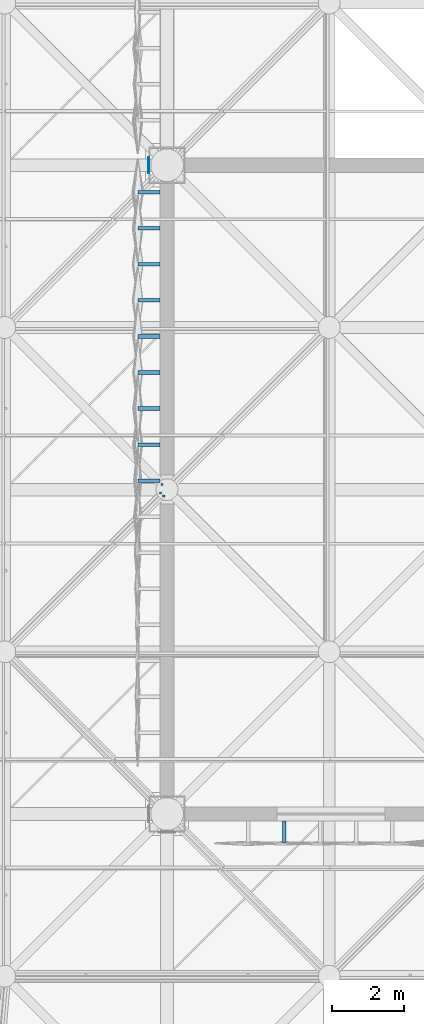
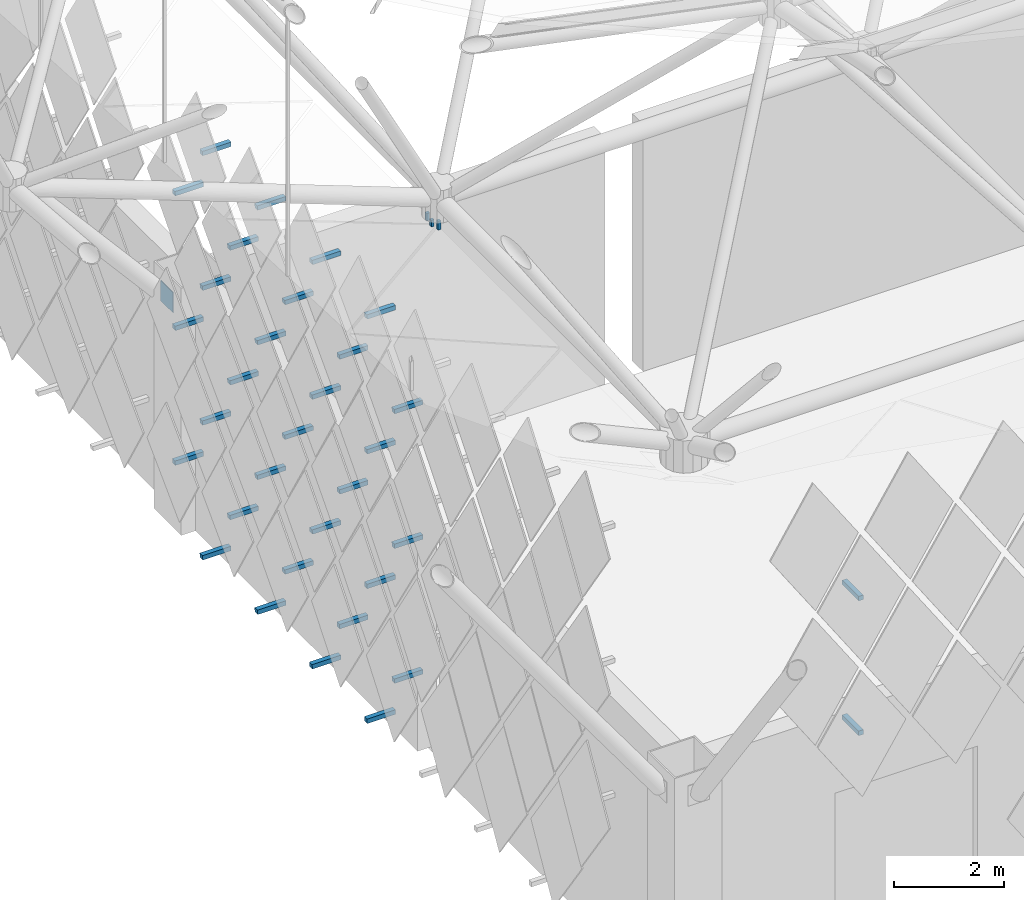
# One storey, part 348 of 437: 37 discrete accessories.
"""IFC4 building model written with IfcOpenShell, lengths in metres."""

from ifc_helpers import new_model, si_unit, direction, frame, origin, place, context, subcontext, project, spatial, polyline, outline, extrude, material, layer, layer_set, type_object, element, save


model = new_model("IFC4")

# Units and contexts
model_context = context("Model", 3, precision=1e-05, world=origin(), true_north=direction((0.0, 1.0)))
body_context = subcontext(model_context, "Body", "Model", "MODEL_VIEW")
ifc_project = project(units=[si_unit("LENGTHUNIT", "METRE"), si_unit("AREAUNIT", "SQUARE_METRE"), si_unit("VOLUMEUNIT", "CUBIC_METRE"), si_unit("PLANEANGLEUNIT", "RADIAN"), si_unit("MASSUNIT", "GRAM", prefix="KILO")], contexts=[model_context])

# Site, building, storey
site_placement = place(None, origin())
site = spatial("IfcSite", under=ifc_project, at=site_placement, CompositionType="ELEMENT")
building_placement = place(site_placement, origin())
building = spatial("IfcBuilding", under=site, at=building_placement, Name="Opaline Strait Convention Centre", CompositionType="ELEMENT")
storey_placement = place(building_placement, frame((0.0, 0.0, 11.5)))
storey = spatial("IfcBuildingStorey", under=building, at=storey_placement, Name="L02", CompositionType="ELEMENT", Elevation=11.5)

# Discrete accessories
ifc_material_1 = material(Name="Structural steel Q355B", Category="steel")
ifc_layer = layer(ifc_material_1, 0.01611328125)
ifc_layer_set = layer_set([ifc_layer], Name="Structural steel Q355B")
discrete_accessory_type_1 = type_object("IfcDiscreteAccessoryType", Name="Prop bearing plate 450 x 450 x 16", PredefinedType="ANCHORPLATE", material=ifc_layer_set)
discrete_accessory_1_placement = place(storey_placement, frame((0.0, 0.0, 4.793701171875)))
element("IfcDiscreteAccessory", 1, at=discrete_accessory_1_placement, inside=storey, type_object=discrete_accessory_type_1, Name="Prop bearing plate 99/72 W", PredefinedType="ANCHORPLATE", context=body_context, shape_type="SweptSolid", body=[
    extrude(outline(polyline([(98.48388671875, 71.77490234375), (98.5, 71.77490234375), (98.5, 72.22509765625), (98.48388671875, 72.22509765625), (98.48388671875, 71.77490234375)])), origin(), (0.0, 0.0, 1.0), 0.449951171875),
])
ifc_material_2 = material(Name="Steel Q355B", Category="steel")
discrete_accessory_type_2 = type_object("IfcDiscreteAccessoryType", Name="Soffit hanger 60x60 steel", PredefinedType="BRACKET", material=ifc_material_2)
discrete_accessory_2_placement = place(storey_placement, frame((0.0, 0.0, 11.93994140625)))
element("IfcDiscreteAccessory", 2, at=discrete_accessory_2_placement, inside=storey, type_object=discrete_accessory_type_2, Name="Soffit hanger", PredefinedType="BRACKET", context=body_context, shape_type="SweptSolid", body=[
    extrude(outline(polyline([(98.880859375, 62.791015625), (98.940673828125, 62.791015625), (98.940673828125, 62.85107421875), (98.880859375, 62.85107421875), (98.880859375, 62.791015625)])), origin(), (0.0, 0.0, 1.0), 0.199951171875),
])
discrete_accessory_3_placement = place(storey_placement, frame((0.0, 0.0, 11.986083984375)))
element("IfcDiscreteAccessory", 3, at=discrete_accessory_3_placement, inside=storey, type_object=discrete_accessory_type_2, Name="Soffit hanger", PredefinedType="BRACKET", context=body_context, shape_type="SweptSolid", body=[
    extrude(outline(polyline([(98.791015625, 62.880859375), (98.85107421875, 62.880859375), (98.85107421875, 62.940673828125), (98.791015625, 62.940673828125), (98.791015625, 62.880859375)])), origin(), (0.0, 0.0, 1.0), 0.15380859375),
])
discrete_accessory_4_placement = place(storey_placement, frame((0.0, 0.0, 11.967529296875)))
element("IfcDiscreteAccessory", 4, at=discrete_accessory_4_placement, inside=storey, type_object=discrete_accessory_type_2, Name="Soffit hanger", PredefinedType="BRACKET", context=body_context, shape_type="SweptSolid", body=[
    extrude(outline(polyline([(98.82861328125, 63.111328125), (98.888671875, 63.111328125), (98.888671875, 63.17138671875), (98.82861328125, 63.17138671875), (98.82861328125, 63.111328125)])), origin(), (0.0, 0.0, 1.0), 0.17236328125),
])
discrete_accessory_type_3 = type_object("IfcDiscreteAccessoryType", Name="Tile bracket 100x100 steel", PredefinedType="BRACKET", material=ifc_material_2)
discrete_accessory_5_placement = place(storey_placement, frame((102.199951171875, 53.800048828125, 5.39208984375), z_axis=(1.0, 0.0, 0.0), x_axis=(0.0, 1.0, 0.0)))
element("IfcDiscreteAccessory", 5, at=discrete_accessory_5_placement, inside=storey, type_object=discrete_accessory_type_3, Name="Tile bracket XT02 S", PredefinedType="BRACKET", context=body_context, shape_type="SweptSolid", body=[
    extrude(outline(polyline([(0.0, -0.050048828125), (0.0, 0.050048828125), (-0.59912109375, 0.050048828125), (-0.600830078125, -0.050048828125), (0.0, -0.050048828125)])), origin(), (0.0, 0.0, 1.0), 0.10009765625),
])
discrete_accessory_6_placement = place(storey_placement, frame((102.199951171875, 53.800048828125, 8.39208984375), z_axis=(1.0, 0.0, 0.0), x_axis=(0.0, 1.0, 0.0)))
element("IfcDiscreteAccessory", 6, at=discrete_accessory_6_placement, inside=storey, type_object=discrete_accessory_type_3, Name="Tile bracket XT03 S", PredefinedType="BRACKET", context=body_context, shape_type="SweptSolid", body=[
    extrude(outline(polyline([(0.0, -0.050048828125), (0.0, 0.050048828125), (-0.5986328125, 0.050048828125), (-0.601318359375, -0.050048828125), (0.0, -0.050048828125)])), origin(), (0.0, 0.0, 1.0), 0.10009765625),
])
discrete_accessory_7_placement = place(storey_placement, frame((98.800048828125, 70.300048828125, 0.39208984375), z_axis=(0.0, -1.0, 0.0), x_axis=(1.0, 0.0, 0.0)))
element("IfcDiscreteAccessory", 7, at=discrete_accessory_7_placement, inside=storey, type_object=discrete_accessory_type_3, Name="Tile bracket XT10 W", PredefinedType="BRACKET", context=body_context, shape_type="SweptSolid", body=[
    extrude(outline(polyline([(0.0, -0.050048828125), (0.0, 0.050048828125), (-0.604248046875, 0.050048828125), (-0.595703125, -0.050048828125), (0.0, -0.050048828125)])), origin(), (0.0, 0.0, 1.0), 0.10009765625),
])
discrete_accessory_8_placement = place(storey_placement, frame((98.800048828125, 68.300048828125, 0.39208984375), z_axis=(0.0, -1.0, 0.0), x_axis=(1.0, 0.0, 0.0)))
element("IfcDiscreteAccessory", 8, at=discrete_accessory_8_placement, inside=storey, type_object=discrete_accessory_type_3, Name="Tile bracket XT09 W", PredefinedType="BRACKET", context=body_context, shape_type="SweptSolid", body=[
    extrude(outline(polyline([(0.0, -0.050048828125), (0.0, 0.050048828125), (-0.60400390625, 0.050048828125), (-0.595947265625, -0.050048828125), (0.0, -0.050048828125)])), origin(), (0.0, 0.0, 1.0), 0.10009765625),
])
discrete_accessory_9_placement = place(storey_placement, frame((98.800048828125, 66.300048828125, 0.39208984375), z_axis=(0.0, -1.0, 0.0), x_axis=(1.0, 0.0, 0.0)))
element("IfcDiscreteAccessory", 9, at=discrete_accessory_9_placement, inside=storey, type_object=discrete_accessory_type_3, Name="Tile bracket XT05 W", PredefinedType="BRACKET", context=body_context, shape_type="SweptSolid", body=[
    extrude(outline(polyline([(0.0, -0.050048828125), (0.0, 0.050048828125), (-0.602294921875, 0.050048828125), (-0.597900390625, -0.050048828125), (0.0, -0.050048828125)])), origin(), (0.0, 0.0, 1.0), 0.10009765625),
])
discrete_accessory_10_placement = place(storey_placement, frame((98.800048828125, 64.300048828125, 0.39208984375), z_axis=(0.0, -1.0, 0.0), x_axis=(1.0, 0.0, 0.0)))
element("IfcDiscreteAccessory", 10, at=discrete_accessory_10_placement, inside=storey, type_object=discrete_accessory_type_3, Name="Tile bracket XT04 W", PredefinedType="BRACKET", context=body_context, shape_type="SweptSolid", body=[
    extrude(outline(polyline([(0.0, -0.050048828125), (0.0, 0.050048828125), (-0.601806640625, 0.050048828125), (-0.59814453125, -0.050048828125), (0.0, -0.050048828125)])), origin(), (0.0, 0.0, 1.0), 0.10009765625),
])
discrete_accessory_11_placement = place(storey_placement, frame((98.800048828125, 71.300048828125, 1.89208984375), z_axis=(0.0, -1.0, 0.0), x_axis=(1.0, 0.0, 0.0)))
element("IfcDiscreteAccessory", 11, at=discrete_accessory_11_placement, inside=storey, type_object=discrete_accessory_type_3, Name="Tile bracket XT12 W", PredefinedType="BRACKET", context=body_context, shape_type="SweptSolid", body=[
    extrude(outline(polyline([(0.0, -0.050048828125), (0.0, 0.050048828125), (-0.605224609375, 0.050048828125), (-0.5947265625, -0.050048828125), (0.0, -0.050048828125)])), origin(), (0.0, 0.0, 1.0), 0.10009765625),
])
discrete_accessory_12_placement = place(storey_placement, frame((98.800048828125, 69.300048828125, 1.89208984375), z_axis=(0.0, -1.0, 0.0), x_axis=(1.0, 0.0, 0.0)))
element("IfcDiscreteAccessory", 12, at=discrete_accessory_12_placement, inside=storey, type_object=discrete_accessory_type_3, Name="Tile bracket XT11 W", PredefinedType="BRACKET", context=body_context, shape_type="SweptSolid", body=[
    extrude(outline(polyline([(0.0, -0.050048828125), (0.0, 0.050048828125), (-0.604736328125, 0.050048828125), (-0.59521484375, -0.050048828125), (0.0, -0.050048828125)])), origin(), (0.0, 0.0, 1.0), 0.10009765625),
])
discrete_accessory_13_placement = place(storey_placement, frame((98.800048828125, 67.300048828125, 1.89208984375), z_axis=(0.0, -1.0, 0.0), x_axis=(1.0, 0.0, 0.0)))
element("IfcDiscreteAccessory", 13, at=discrete_accessory_13_placement, inside=storey, type_object=discrete_accessory_type_3, Name="Tile bracket XT08 W", PredefinedType="BRACKET", context=body_context, shape_type="SweptSolid", body=[
    extrude(outline(polyline([(0.0, -0.050048828125), (0.0, 0.050048828125), (-0.603515625, 0.050048828125), (-0.596435546875, -0.050048828125), (0.0, -0.050048828125)])), origin(), (0.0, 0.0, 1.0), 0.10009765625),
])
discrete_accessory_14_placement = place(storey_placement, frame((98.800048828125, 65.300048828125, 1.89208984375), z_axis=(0.0, -1.0, 0.0), x_axis=(1.0, 0.0, 0.0)))
element("IfcDiscreteAccessory", 14, at=discrete_accessory_14_placement, inside=storey, type_object=discrete_accessory_type_3, Name="Tile bracket XT05 W", PredefinedType="BRACKET", context=body_context, shape_type="SweptSolid", body=[
    extrude(outline(polyline([(0.0, -0.050048828125), (0.0, 0.050048828125), (-0.602294921875, 0.050048828125), (-0.597900390625, -0.050048828125), (0.0, -0.050048828125)])), origin(), (0.0, 0.0, 1.0), 0.10009765625),
])
discrete_accessory_15_placement = place(storey_placement, frame((98.800048828125, 63.300048828125, 1.89208984375), z_axis=(0.0, -1.0, 0.0), x_axis=(1.0, 0.0, 0.0)))
element("IfcDiscreteAccessory", 15, at=discrete_accessory_15_placement, inside=storey, type_object=discrete_accessory_type_3, Name="Tile bracket XT03 W", PredefinedType="BRACKET", context=body_context, shape_type="SweptSolid", body=[
    extrude(outline(polyline([(0.0, -0.050048828125), (0.0, 0.050048828125), (-0.601318359375, 0.050048828125), (-0.5986328125, -0.050048828125), (0.0, -0.050048828125)])), origin(), (0.0, 0.0, 1.0), 0.10009765625),
])
for number, where, z_axis, x_axis, name in (
    (16, (98.800048828125, 70.300048828125, 3.39208984375), (0.0, -1.0, 0.0), (1.0, 0.0, 0.0), "Tile bracket XT11 W"),
    (17, (98.800048828125, 68.300048828125, 3.39208984375), (0.0, -1.0, 0.0), (1.0, 0.0, 0.0), "Tile bracket XT11 W"),
):
    element("IfcDiscreteAccessory", number, at=place(storey_placement, frame(where, z_axis=z_axis, x_axis=x_axis)), inside=storey, type_object=discrete_accessory_type_3, Name=name, PredefinedType="BRACKET", context=body_context, shape_type="SweptSolid", body=[
        extrude(outline(polyline([(0.0, -0.050048828125), (0.0, 0.050048828125), (-0.604736328125, 0.050048828125), (-0.59521484375, -0.050048828125), (0.0, -0.050048828125)])), origin(), (0.0, 0.0, 1.0), 0.10009765625),
    ])
discrete_accessory_16_placement = place(storey_placement, frame((98.800048828125, 66.300048828125, 3.39208984375), z_axis=(0.0, -1.0, 0.0), x_axis=(1.0, 0.0, 0.0)))
element("IfcDiscreteAccessory", 18, at=discrete_accessory_16_placement, inside=storey, type_object=discrete_accessory_type_3, Name="Tile bracket XT08 W", PredefinedType="BRACKET", context=body_context, shape_type="SweptSolid", body=[
    extrude(outline(polyline([(0.0, -0.050048828125), (0.0, 0.050048828125), (-0.603515625, 0.050048828125), (-0.596435546875, -0.050048828125), (0.0, -0.050048828125)])), origin(), (0.0, 0.0, 1.0), 0.10009765625),
])
discrete_accessory_17_placement = place(storey_placement, frame((98.800048828125, 64.300048828125, 3.39208984375), z_axis=(0.0, -1.0, 0.0), x_axis=(1.0, 0.0, 0.0)))
element("IfcDiscreteAccessory", 19, at=discrete_accessory_17_placement, inside=storey, type_object=discrete_accessory_type_3, Name="Tile bracket XT06 W", PredefinedType="BRACKET", context=body_context, shape_type="SweptSolid", body=[
    extrude(outline(polyline([(0.0, -0.050048828125), (0.0, 0.050048828125), (-0.6025390625, 0.050048828125), (-0.597412109375, -0.050048828125), (0.0, -0.050048828125)])), origin(), (0.0, 0.0, 1.0), 0.10009765625),
])
for number, where, z_axis, x_axis, name in (
    (20, (98.800048828125, 71.300048828125, 4.89208984375), (0.0, -1.0, 0.0), (1.0, 0.0, 0.0), "Tile bracket XT11 W"),
    (21, (98.800048828125, 69.300048828125, 4.89208984375), (0.0, -1.0, 0.0), (1.0, 0.0, 0.0), "Tile bracket XT11 W"),
):
    element("IfcDiscreteAccessory", number, at=place(storey_placement, frame(where, z_axis=z_axis, x_axis=x_axis)), inside=storey, type_object=discrete_accessory_type_3, Name=name, PredefinedType="BRACKET", context=body_context, shape_type="SweptSolid", body=[
        extrude(outline(polyline([(0.0, -0.050048828125), (0.0, 0.050048828125), (-0.604736328125, 0.050048828125), (-0.59521484375, -0.050048828125), (0.0, -0.050048828125)])), origin(), (0.0, 0.0, 1.0), 0.10009765625),
    ])
discrete_accessory_18_placement = place(storey_placement, frame((98.800048828125, 67.300048828125, 4.89208984375), z_axis=(0.0, -1.0, 0.0), x_axis=(1.0, 0.0, 0.0)))
element("IfcDiscreteAccessory", 22, at=discrete_accessory_18_placement, inside=storey, type_object=discrete_accessory_type_3, Name="Tile bracket XT10 W", PredefinedType="BRACKET", context=body_context, shape_type="SweptSolid", body=[
    extrude(outline(polyline([(0.0, -0.050048828125), (0.0, 0.050048828125), (-0.604248046875, 0.050048828125), (-0.595703125, -0.050048828125), (0.0, -0.050048828125)])), origin(), (0.0, 0.0, 1.0), 0.10009765625),
])
discrete_accessory_19_placement = place(storey_placement, frame((98.800048828125, 65.300048828125, 4.89208984375), z_axis=(0.0, -1.0, 0.0), x_axis=(1.0, 0.0, 0.0)))
element("IfcDiscreteAccessory", 23, at=discrete_accessory_19_placement, inside=storey, type_object=discrete_accessory_type_3, Name="Tile bracket XT08 W", PredefinedType="BRACKET", context=body_context, shape_type="SweptSolid", body=[
    extrude(outline(polyline([(0.0, -0.050048828125), (0.0, 0.050048828125), (-0.603515625, 0.050048828125), (-0.596435546875, -0.050048828125), (0.0, -0.050048828125)])), origin(), (0.0, 0.0, 1.0), 0.10009765625),
])
discrete_accessory_20_placement = place(storey_placement, frame((98.800048828125, 63.300048828125, 4.89208984375), z_axis=(0.0, -1.0, 0.0), x_axis=(1.0, 0.0, 0.0)))
element("IfcDiscreteAccessory", 24, at=discrete_accessory_20_placement, inside=storey, type_object=discrete_accessory_type_3, Name="Tile bracket XT05 W", PredefinedType="BRACKET", context=body_context, shape_type="SweptSolid", body=[
    extrude(outline(polyline([(0.0, -0.050048828125), (0.0, 0.050048828125), (-0.602294921875, 0.050048828125), (-0.597900390625, -0.050048828125), (0.0, -0.050048828125)])), origin(), (0.0, 0.0, 1.0), 0.10009765625),
])
discrete_accessory_21_placement = place(storey_placement, frame((98.800048828125, 70.300048828125, 6.39208984375), z_axis=(0.0, -1.0, 0.0), x_axis=(1.0, 0.0, 0.0)))
element("IfcDiscreteAccessory", 25, at=discrete_accessory_21_placement, inside=storey, type_object=discrete_accessory_type_3, Name="Tile bracket XT10 W", PredefinedType="BRACKET", context=body_context, shape_type="SweptSolid", body=[
    extrude(outline(polyline([(0.0, -0.050048828125), (0.0, 0.050048828125), (-0.604248046875, 0.050048828125), (-0.595703125, -0.050048828125), (0.0, -0.050048828125)])), origin(), (0.0, 0.0, 1.0), 0.10009765625),
])
discrete_accessory_22_placement = place(storey_placement, frame((98.800048828125, 68.300048828125, 6.39208984375), z_axis=(0.0, -1.0, 0.0), x_axis=(1.0, 0.0, 0.0)))
element("IfcDiscreteAccessory", 26, at=discrete_accessory_22_placement, inside=storey, type_object=discrete_accessory_type_3, Name="Tile bracket XT11 W", PredefinedType="BRACKET", context=body_context, shape_type="SweptSolid", body=[
    extrude(outline(polyline([(0.0, -0.050048828125), (0.0, 0.050048828125), (-0.604736328125, 0.050048828125), (-0.59521484375, -0.050048828125), (0.0, -0.050048828125)])), origin(), (0.0, 0.0, 1.0), 0.10009765625),
])
discrete_accessory_23_placement = place(storey_placement, frame((98.800048828125, 66.300048828125, 6.39208984375), z_axis=(0.0, -1.0, 0.0), x_axis=(1.0, 0.0, 0.0)))
element("IfcDiscreteAccessory", 27, at=discrete_accessory_23_placement, inside=storey, type_object=discrete_accessory_type_3, Name="Tile bracket XT10 W", PredefinedType="BRACKET", context=body_context, shape_type="SweptSolid", body=[
    extrude(outline(polyline([(0.0, -0.050048828125), (0.0, 0.050048828125), (-0.604248046875, 0.050048828125), (-0.595703125, -0.050048828125), (0.0, -0.050048828125)])), origin(), (0.0, 0.0, 1.0), 0.10009765625),
])
for number, where, z_axis, x_axis, name in (
    (28, (98.800048828125, 64.300048828125, 6.39208984375), (0.0, -1.0, 0.0), (1.0, 0.0, 0.0), "Tile bracket XT08 W"),
    (29, (98.800048828125, 71.300048828125, 7.89208984375), (0.0, -1.0, 0.0), (1.0, 0.0, 0.0), "Tile bracket XT08 W"),
):
    element("IfcDiscreteAccessory", number, at=place(storey_placement, frame(where, z_axis=z_axis, x_axis=x_axis)), inside=storey, type_object=discrete_accessory_type_3, Name=name, PredefinedType="BRACKET", context=body_context, shape_type="SweptSolid", body=[
        extrude(outline(polyline([(0.0, -0.050048828125), (0.0, 0.050048828125), (-0.603515625, 0.050048828125), (-0.596435546875, -0.050048828125), (0.0, -0.050048828125)])), origin(), (0.0, 0.0, 1.0), 0.10009765625),
    ])
for number, where, z_axis, x_axis, name in (
    (30, (98.800048828125, 69.300048828125, 7.89208984375), (0.0, -1.0, 0.0), (1.0, 0.0, 0.0), "Tile bracket XT10 W"),
    (31, (98.800048828125, 67.300048828125, 7.89208984375), (0.0, -1.0, 0.0), (1.0, 0.0, 0.0), "Tile bracket XT10 W"),
    (32, (98.800048828125, 65.300048828125, 7.89208984375), (0.0, -1.0, 0.0), (1.0, 0.0, 0.0), "Tile bracket XT10 W"),
):
    element("IfcDiscreteAccessory", number, at=place(storey_placement, frame(where, z_axis=z_axis, x_axis=x_axis)), inside=storey, type_object=discrete_accessory_type_3, Name=name, PredefinedType="BRACKET", context=body_context, shape_type="SweptSolid", body=[
        extrude(outline(polyline([(0.0, -0.050048828125), (0.0, 0.050048828125), (-0.604248046875, 0.050048828125), (-0.595703125, -0.050048828125), (0.0, -0.050048828125)])), origin(), (0.0, 0.0, 1.0), 0.10009765625),
    ])
discrete_accessory_24_placement = place(storey_placement, frame((98.800048828125, 63.300048828125, 7.89208984375), z_axis=(0.0, -1.0, 0.0), x_axis=(1.0, 0.0, 0.0)))
element("IfcDiscreteAccessory", 33, at=discrete_accessory_24_placement, inside=storey, type_object=discrete_accessory_type_3, Name="Tile bracket XT08 W", PredefinedType="BRACKET", context=body_context, shape_type="SweptSolid", body=[
    extrude(outline(polyline([(0.0, -0.050048828125), (0.0, 0.050048828125), (-0.603515625, 0.050048828125), (-0.596435546875, -0.050048828125), (0.0, -0.050048828125)])), origin(), (0.0, 0.0, 1.0), 0.10009765625),
])
discrete_accessory_25_placement = place(storey_placement, frame((98.800048828125, 70.300048828125, 9.39208984375), z_axis=(0.0, -1.0, 0.0), x_axis=(1.0, 0.0, 0.0)))
element("IfcDiscreteAccessory", 34, at=discrete_accessory_25_placement, inside=storey, type_object=discrete_accessory_type_3, Name="Tile bracket XT07 W", PredefinedType="BRACKET", context=body_context, shape_type="SweptSolid", body=[
    extrude(outline(polyline([(0.0, -0.050048828125), (0.0, 0.050048828125), (-0.60302734375, 0.050048828125), (-0.596923828125, -0.050048828125), (0.0, -0.050048828125)])), origin(), (0.0, 0.0, 1.0), 0.10009765625),
])
for number, where, z_axis, x_axis, name in (
    (35, (98.800048828125, 68.300048828125, 9.39208984375), (0.0, -1.0, 0.0), (1.0, 0.0, 0.0), "Tile bracket XT10 W"),
    (36, (98.800048828125, 66.300048828125, 9.39208984375), (0.0, -1.0, 0.0), (1.0, 0.0, 0.0), "Tile bracket XT10 W"),
    (37, (98.800048828125, 64.300048828125, 9.39208984375), (0.0, -1.0, 0.0), (1.0, 0.0, 0.0), "Tile bracket XT10 W"),
):
    element("IfcDiscreteAccessory", number, at=place(storey_placement, frame(where, z_axis=z_axis, x_axis=x_axis)), inside=storey, type_object=discrete_accessory_type_3, Name=name, PredefinedType="BRACKET", context=body_context, shape_type="SweptSolid", body=[
        extrude(outline(polyline([(0.0, -0.050048828125), (0.0, 0.050048828125), (-0.604248046875, 0.050048828125), (-0.595703125, -0.050048828125), (0.0, -0.050048828125)])), origin(), (0.0, 0.0, 1.0), 0.10009765625),
    ])

save(model, "model.ifc")
